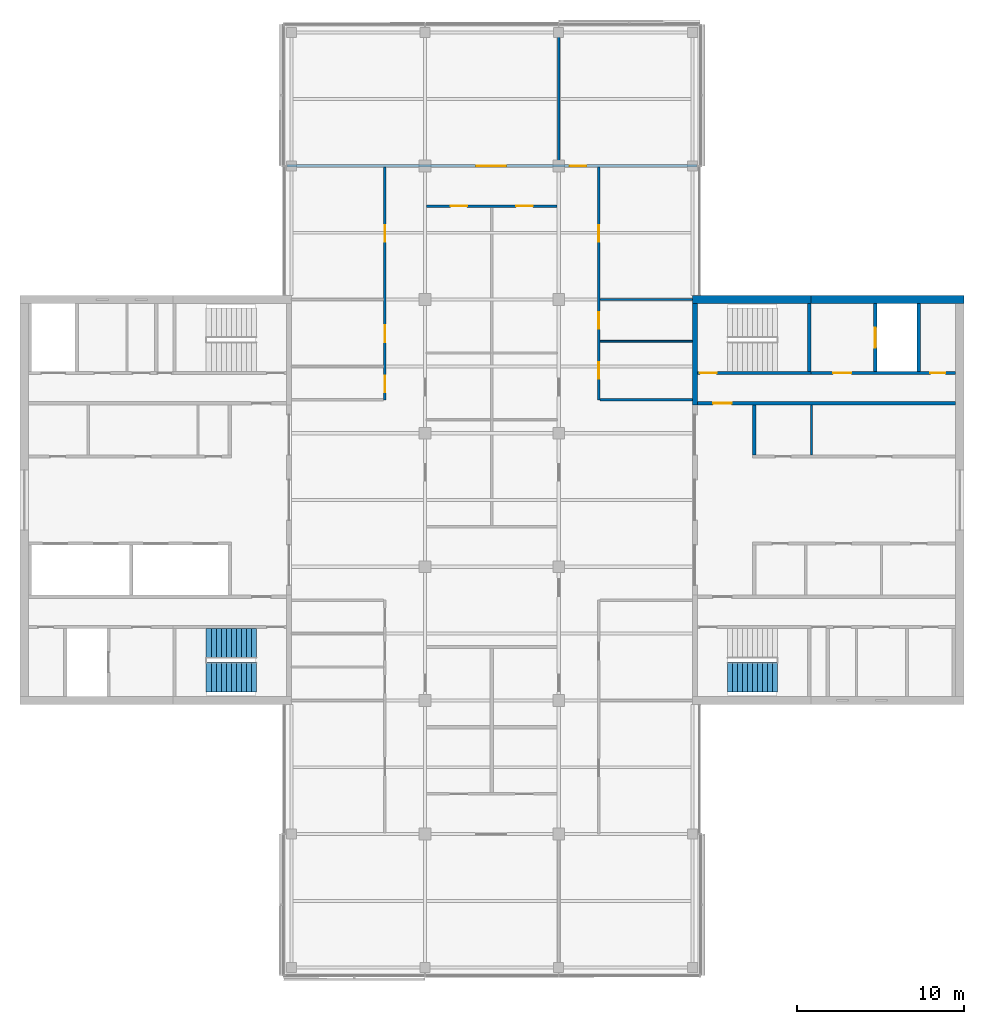
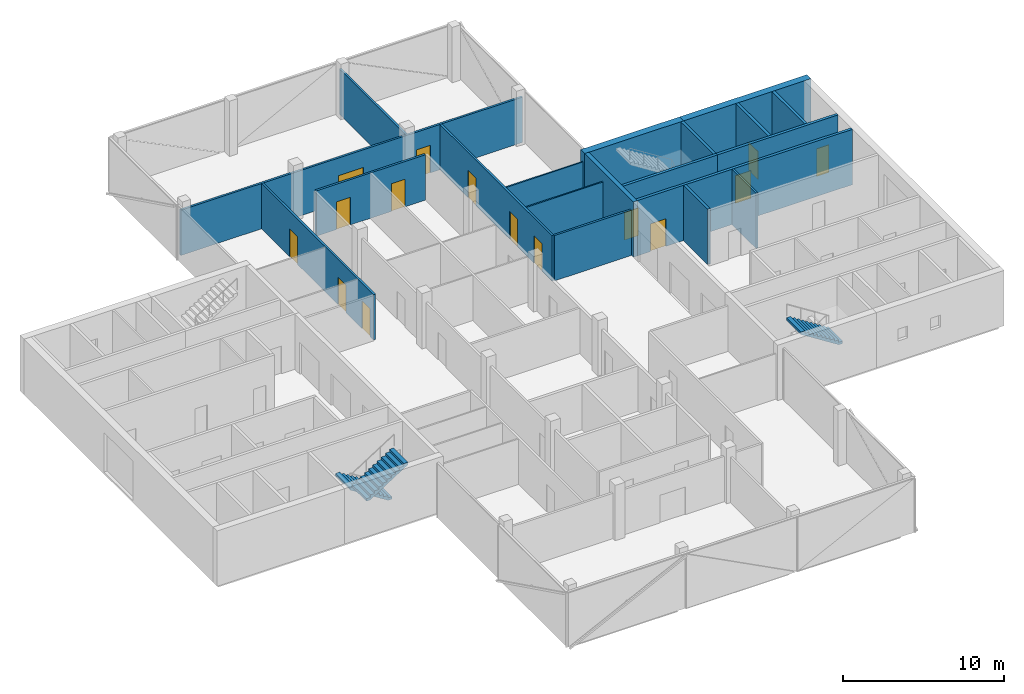
# One storey, part 12 of 16: 19 walls, 15 doors, 3 stair flights, 15 openings, 2 elements without a shape of their own.
"""IFC4 building model written with IfcOpenShell, lengths in metres."""

import ifcopenshell
import ifcopenshell.guid

model = None  # the IFC model being written
_history = None  # IfcOwnerHistory: only IFC2X3 demands one
_inside = {}  # id of a spatial element -> (the spatial element, [elements in it])
_under = {}  # id of a project, library or spatial element -> (it, [spatial elements below it])
_declared = {}  # id of a project -> (the project, [libraries it declares])
_typed = {}  # id of a type object -> (the type object, [elements of that type])
_made_of = {}  # id of a material, layer set ... -> (it, [elements and type objects made of it])


def new_model(schema):
    """Start an empty IFC model of exactly this schema.

    Asked for "IFC4X3", IfcOpenShell would pick the latest addendum, in which some entities
    have other attributes; the version numbers below select the first issue.
    IFC2X3 requires an IfcOwnerHistory on every rooted entity: one is made here for all.
    """
    global model, _history
    if schema == "IFC4X3":
        model = ifcopenshell.file(schema_version=(4, 3, 0, 0))
    else:
        model = ifcopenshell.file(schema=schema)
    _inside.clear()
    _under.clear()
    _declared.clear()
    _typed.clear()
    _made_of.clear()
    _history = None
    if model.schema == "IFC2X3":
        org = make("IfcOrganization", Name="unknown")
        user = make(
            "IfcPersonAndOrganization",
            ThePerson=make("IfcPerson", FamilyName="unknown"),
            TheOrganization=org,
        )
        app = make(
            "IfcApplication",
            ApplicationDeveloper=org,
            Version="unknown",
            ApplicationFullName="unknown",
            ApplicationIdentifier="unknown",
        )
        _history = make(
            "IfcOwnerHistory",
            OwningUser=user,
            OwningApplication=app,
            ChangeAction="ADDED",
            CreationDate=0,
        )
    return model


def make(cls, **values):
    """One entity of the class cls with the attributes given. An attribute that is None is left unset."""
    return model.create_entity(
        cls, **{name: value for name, value in values.items() if value is not None}
    )


def rooted(cls, **values):
    """An entity with a GlobalId (a new one), such as an element, a storey or a relation."""
    return make(cls, GlobalId=ifcopenshell.guid.new(), OwnerHistory=_history, **values)


def si_unit(unit_type, name, prefix=None):
    """IfcSIUnit, for example si_unit("LENGTHUNIT", "METRE", prefix="MILLI")."""
    return make("IfcSIUnit", UnitType=unit_type, Prefix=prefix, Name=name)


def assignment(units):
    """IfcUnitAssignment: the units of a project."""
    return None if units is None else make("IfcUnitAssignment", Units=units)


def point(xyz):
    """IfcCartesianPoint."""
    return None if xyz is None else make("IfcCartesianPoint", Coordinates=xyz)


def direction(xyz):
    """IfcDirection."""
    return None if xyz is None else make("IfcDirection", DirectionRatios=xyz)


def frame(location, z_axis=None, x_axis=None):
    """IfcAxis2Placement3D, a coordinate frame: its origin and axes. An axis left out is left unset."""
    return make(
        "IfcAxis2Placement3D",
        Location=point(location),
        Axis=direction(z_axis),
        RefDirection=direction(x_axis),
    )


def frame_2d(location, x_axis=None):
    """IfcAxis2Placement2D, a coordinate frame in the plane: its origin and x axis."""
    return make(
        "IfcAxis2Placement2D", Location=point(location), RefDirection=direction(x_axis)
    )


def origin():
    """The frame at (0, 0, 0) with its axes left unset."""
    return frame((0.0, 0.0, 0.0))


def place(relative_to, where):
    """IfcLocalPlacement: puts the frame where relative to a parent placement (None: the world)."""
    return make(
        "IfcLocalPlacement", PlacementRelTo=relative_to, RelativePlacement=where
    )


def context(
    kind, dimensions, precision=None, world=None, true_north=None, identifier=None
):
    """IfcGeometricRepresentationContext, for example the 3D "Model" context."""
    return make(
        "IfcGeometricRepresentationContext",
        ContextIdentifier=identifier,
        ContextType=kind,
        CoordinateSpaceDimension=dimensions,
        Precision=precision,
        WorldCoordinateSystem=world,
        TrueNorth=true_north,
    )


def subcontext(parent, identifier, kind, view, scale=None):
    """IfcGeometricRepresentationSubContext, for example "Body" below "Model"."""
    return make(
        "IfcGeometricRepresentationSubContext",
        ContextIdentifier=identifier,
        ContextType=kind,
        ParentContext=parent,
        TargetScale=scale,
        TargetView=view,
    )


def project(units=None, contexts=None):
    """IfcProject with its units and contexts."""
    return rooted(
        "IfcProject",
        Name="project",
        RepresentationContexts=contexts,
        UnitsInContext=assignment(units),
    )


def spatial(cls, under=None, at=None, **own):
    """A site, building, storey or space (cls), placed at a placement, below another one or the project."""
    s = rooted(cls, ObjectPlacement=at, **own)
    if under is not None:
        _under.setdefault(under.id(), (under, []))[1].append(s)
    return s


def polyline(points):
    """IfcPolyline through the points."""
    return make("IfcPolyline", Points=[point(p) for p in points])


def profile(cls, at=None, kind="AREA", **sizes):
    """A parametric profile (cls). Its sizes go by their IFC names, for example OverallWidth=200.0."""
    return make(cls, ProfileType=kind, Position=at, **sizes)


def rectangle(**sizes):
    """IfcRectangleProfileDef."""
    return profile("IfcRectangleProfileDef", **sizes)


def outline(outer, holes=None, kind="AREA"):
    """IfcArbitraryClosedProfileDef: a profile drawn as a closed curve; with holes, ...WithVoids."""
    if holes is None:
        return make("IfcArbitraryClosedProfileDef", ProfileType=kind, OuterCurve=outer)
    return make(
        "IfcArbitraryProfileDefWithVoids",
        ProfileType=kind,
        OuterCurve=outer,
        InnerCurves=holes,
    )


def extrude(swept, where, along, depth):
    """IfcExtrudedAreaSolid: the profile swept, set in the frame where, extruded along a direction by depth."""
    return make(
        "IfcExtrudedAreaSolid",
        SweptArea=swept,
        Position=where,
        ExtrudedDirection=direction(along),
        Depth=depth,
    )


def shape(context_of_items, identifier, shape_type, items):
    """IfcShapeRepresentation: the items that make up one representation, for example the "Body"."""
    return make(
        "IfcShapeRepresentation",
        ContextOfItems=context_of_items,
        RepresentationIdentifier=identifier,
        RepresentationType=shape_type,
        Items=items,
    )


def material(Name=None, Category=None):
    """IfcMaterial."""
    return make("IfcMaterial", Name=Name, Category=Category)


def layer(
    of_material, thickness, ventilated=None, Name=None, Category=None, Priority=None
):
    """IfcMaterialLayer: one layer of a wall or slab, of a material (None: an air gap)."""
    return make(
        "IfcMaterialLayer",
        Material=of_material,
        LayerThickness=thickness,
        IsVentilated=ventilated,
        Name=Name,
        Category=Category,
        Priority=Priority,
    )


def layer_set(layers, Name=None):
    """IfcMaterialLayerSet."""
    return make("IfcMaterialLayerSet", MaterialLayers=layers, LayerSetName=Name)


def constituent(of_material, Name=None, Category=None, fraction=None):
    """IfcMaterialConstituent: one of the materials an element consists of."""
    return make(
        "IfcMaterialConstituent",
        Name=Name,
        Material=of_material,
        Fraction=fraction,
        Category=Category,
    )


def constituent_set(constituents=None, Name=None):
    """IfcMaterialConstituentSet."""
    return make(
        "IfcMaterialConstituentSet", Name=Name, MaterialConstituents=constituents
    )


def made_of(thing, what):
    """Note that an element or type object is made of a material, layer set ...; save() writes the relation."""
    if what is not None:
        _made_of.setdefault(what.id(), (what, []))[1].append(thing)
    return thing


def type_object(cls, material=None, **own):
    """A type object (cls), such as IfcWallType, which elements share."""
    return made_of(rooted(cls, **own), material)


def element(
    cls,
    number,
    at=None,
    inside=None,
    cuts=None,
    type_object=None,
    material=None,
    context=None,
    identifier="Body",
    shape_type=None,
    held_by="IfcProductDefinitionShape",
    body=None,
    shapes=None,
    **own,
):
    """One element of the class cls, such as IfcWall. Its Tag is "e" and its number.

    at: its placement. inside: the storey or other place that contains it. cuts: it is an
    opening in that element (IfcRelVoidsElement). A single representation is given by context,
    identifier, shape_type and body (its items); several are given by shapes. held_by: the class
    of the entity that holds the representations. save() writes the other relations.
    """
    e = rooted(cls, Tag="e%d" % number, ObjectPlacement=at, **own)
    if body is not None:
        shapes = [shape(context, identifier, shape_type, body)]
    if shapes is not None:
        e.Representation = make(held_by, Representations=shapes)
    if inside is not None:
        _inside.setdefault(inside.id(), (inside, []))[1].append(e)
    if cuts is not None:
        rooted(
            "IfcRelVoidsElement", RelatingBuildingElement=cuts, RelatedOpeningElement=e
        )
    if type_object is not None:
        _typed.setdefault(type_object.id(), (type_object, []))[1].append(e)
    return made_of(e, material)


def fill(opening, filler):
    """IfcRelFillsElement: the door or window that sits in an opening."""
    return rooted(
        "IfcRelFillsElement",
        RelatingOpeningElement=opening,
        RelatedBuildingElement=filler,
    )


def aggregate(whole, parts):
    """IfcRelAggregates: a whole, such as a stair, and the parts it consists of."""
    return rooted("IfcRelAggregates", RelatingObject=whole, RelatedObjects=parts)


def save(model, path):
    """Write the relations noted so far, then the file.

    IfcRelAggregates (storeys below a building ...), IfcRelContainedInSpatialStructure (elements
    in a storey), IfcRelDefinesByType, IfcRelAssociatesMaterial and IfcRelDeclares: one each for
    every whole, place, type object, material and project.
    """
    for whole, parts in _under.values():
        aggregate(whole, parts)
    for where, things in _inside.values():
        rooted(
            "IfcRelContainedInSpatialStructure",
            RelatedElements=things,
            RelatingStructure=where,
        )
    for kind, things in _typed.values():
        rooted("IfcRelDefinesByType", RelatedObjects=things, RelatingType=kind)
    for what, things in _made_of.values():
        rooted("IfcRelAssociatesMaterial", RelatedObjects=things, RelatingMaterial=what)
    for by, libraries in _declared.values():
        rooted("IfcRelDeclares", RelatingContext=by, RelatedDefinitions=libraries)
    model.write(path)


model = new_model("IFC4")

# Units and contexts
model_context = context("Model", 3, precision=1e-05, world=origin(), true_north=direction((0.0, 1.0)))
body_context = subcontext(model_context, "Body", "Model", "MODEL_VIEW")
ifc_project = project(units=[si_unit("LENGTHUNIT", "METRE"), si_unit("AREAUNIT", "SQUARE_METRE"), si_unit("VOLUMEUNIT", "CUBIC_METRE"), si_unit("PLANEANGLEUNIT", "RADIAN"), si_unit("MASSUNIT", "GRAM", prefix="KILO")], contexts=[model_context])

# Site, building, storey
site_placement = place(None, origin())
site = spatial("IfcSite", under=ifc_project, at=site_placement, CompositionType="ELEMENT")
building_placement = place(site_placement, origin())
building = spatial("IfcBuilding", under=site, at=building_placement, Name="Crosswind Convention Tower", CompositionType="ELEMENT")
storey_placement = place(building_placement, frame((0.0, 0.0, 270.300048828125)))
storey = spatial("IfcBuildingStorey", under=building, at=storey_placement, Name="L58", CompositionType="ELEMENT", Elevation=270.300048828125)

# Walls
ifc_material_1 = material(Name="Concrete C50/60", Category="concrete")
ifc_layer_1 = layer(ifc_material_1, 0.300048828125)
ifc_layer_set_1 = layer_set([ifc_layer_1], Name="Concrete C50/60")
wall_type_1 = type_object("IfcWallType", Name="Concrete inner core wall 300", PredefinedType="SHEAR", material=ifc_layer_set_1)
wall_1_placement = place(storey_placement, frame((137.14990234375, 105.699951171875, 0.0), z_axis=(0.0, 0.0, 1.0), x_axis=(0.0, 1.0, 0.0)))
element("IfcWall", 1, at=wall_1_placement, inside=storey, type_object=wall_type_1, Name="Wall EP E L58", PredefinedType="SHEAR", context=body_context, shape_type="SweptSolid", body=[
    extrude(rectangle(XDim=6.050048828125, YDim=0.300048828125, at=frame_2d((3.02490234375, 0.0))), origin(), (0.0, 0.0, 1.0), 4.199951171875),
])
ifc_layer_2 = layer(ifc_material_1, 0.199951171875)
ifc_layer_set_2 = layer_set([ifc_layer_2], Name="Concrete C50/60")
wall_type_2 = type_object("IfcWallType", Name="Concrete shaft and stair wall 200", PredefinedType="SHEAR", material=ifc_layer_set_2)
wall_2_placement = place(storey_placement, frame((140.699951171875, 102.699951171875, 0.0), z_axis=(0.0, 0.0, 1.0), x_axis=(0.0, 1.0, 0.0)))
element("IfcWall", 2, at=wall_2_placement, inside=storey, type_object=wall_type_2, Name="Wall RPEND E L58", PredefinedType="SHEAR", context=body_context, shape_type="SweptSolid", body=[
    extrude(rectangle(XDim=3.0, YDim=0.199951171875, at=frame_2d((1.5, 0.0))), origin(), (0.0, 0.0, 1.0), 4.199951171875),
])

# Wall, opening, door
wall_3_placement = place(storey_placement, frame((137.300048828125, 105.800048828125, 0.0), z_axis=(0.0, 0.0, 1.0), x_axis=(1.0, 0.0, 0.0)))
wall_3 = element("IfcWall", 3, at=wall_3_placement, inside=storey, type_object=wall_type_2, Name="Wall HP E L58", PredefinedType="SHEAR", context=body_context, shape_type="SweptSolid", body=[
    extrude(rectangle(XDim=15.449951171875, YDim=0.199951171875, at=frame_2d((7.72509765625, 0.0))), origin(), (0.0, 0.0, 1.0), 4.199951171875),
])
opening_1_placement = place(wall_3_placement, frame((0.949951171875, 0.0, 0.0)))
opening_1 = element("IfcOpeningElement", 4, at=opening_1_placement, cuts=wall_3, Name="Opening D104", PredefinedType="OPENING", context=body_context, shape_type="SweptSolid", body=[
    extrude(rectangle(XDim=1.10009765625, YDim=2.10009765625, at=frame_2d((0.550048828125, 1.050048828125))), frame((0.0, 0.10986328125, 0.0), z_axis=(0.0, -1.0, 0.0), x_axis=(1.0, 0.0, 0.0)), (0.0, 0.0, 1.0), 0.219970703125),
])
ifc_material_2 = material(Name="Steel fire door", Category="steel")
door_type_1 = type_object("IfcDoorType", Name="Fire-rated single door 1100x2100", OperationType="NOTDEFINED", PredefinedType="DOOR", material=ifc_material_2)
door_1_placement = place(opening_1_placement, origin())
door_1 = element("IfcDoor", 5, at=door_1_placement, inside=storey, type_object=door_type_1, Name="Corridor door L58", ObjectType="D104", OperationType="SINGLE_SWING_LEFT", OverallHeight=2.10009765625, OverallWidth=1.10009765625, PredefinedType="DOOR", context=body_context, shape_type="SweptSolid", body=[
    extrude(rectangle(XDim=1.10009765625, YDim=2.10009765625, at=frame_2d((0.550048828125, 1.050048828125))), frame((0.0, 0.02490234375, 0.0), z_axis=(0.0, -1.0, 0.0), x_axis=(1.0, 0.0, 0.0)), (0.0, 0.0, 1.0), 0.050048828125),
])
fill(opening_1, door_1)

# Wall
wall_4_placement = place(storey_placement, frame((144.0, 107.699951171875, 0.0), z_axis=(0.0, 0.0, 1.0), x_axis=(0.0, 1.0, 0.0)))
element("IfcWall", 6, at=wall_4_placement, inside=storey, type_object=wall_type_2, Name="Wall PSE E L58", PredefinedType="SHEAR", context=body_context, shape_type="SweptSolid", body=[
    extrude(rectangle(XDim=4.050048828125, YDim=0.199951171875, at=frame_2d((2.02490234375, 0.0))), origin(), (0.0, 0.0, 1.0), 4.199951171875),
])

# Wall, opening, door
wall_5_placement = place(storey_placement, frame((147.949951171875, 107.699951171875, 0.0), z_axis=(0.0, 0.0, 1.0), x_axis=(0.0, 1.0, 0.0)))
wall_5 = element("IfcWall", 7, at=wall_5_placement, inside=storey, type_object=wall_type_2, Name="Wall PFLW E L58", PredefinedType="SHEAR", context=body_context, shape_type="SweptSolid", body=[
    extrude(rectangle(XDim=4.050048828125, YDim=0.199951171875, at=frame_2d((2.02490234375, 0.0))), origin(), (0.0, 0.0, 1.0), 4.199951171875),
])
opening_2_placement = place(wall_5_placement, frame((1.425048828125, 0.0, 0.0)))
opening_2 = element("IfcOpeningElement", 8, at=opening_2_placement, cuts=wall_5, Name="Opening LD1", PredefinedType="OPENING", context=body_context, shape_type="SweptSolid", body=[
    extrude(rectangle(XDim=1.199951171875, YDim=2.10009765625, at=frame_2d((0.60009765625, 1.050048828125))), frame((0.0, 0.10986328125, 0.0), z_axis=(0.0, -1.0, 0.0), x_axis=(1.0, 0.0, 0.0)), (0.0, 0.0, 1.0), 0.219970703125),
])
ifc_material_3 = material(Name="Stainless steel", Category="steel")
door_type_2 = type_object("IfcDoorType", Name="Lift landing door 1200x2100", OperationType="DOUBLE_DOOR_SLIDING", PredefinedType="DOOR", material=ifc_material_3)
door_2_placement = place(opening_2_placement, origin())
door_2 = element("IfcDoor", 9, at=door_2_placement, inside=storey, type_object=door_type_2, Name="Landing door FF1 L58", ObjectType="LD1", OperationType="DOUBLE_DOOR_SLIDING", OverallHeight=2.10009765625, OverallWidth=1.199951171875, PredefinedType="DOOR", context=body_context, shape_type="SweptSolid", body=[
    extrude(rectangle(XDim=1.199951171875, YDim=2.10009765625, at=frame_2d((0.60009765625, 1.050048828125))), frame((0.0, 0.02490234375, 0.0), z_axis=(0.0, -1.0, 0.0), x_axis=(1.0, 0.0, 0.0)), (0.0, 0.0, 1.0), 0.050048828125),
])
fill(opening_2, door_2)

# Wall
wall_6_placement = place(storey_placement, frame((150.550048828125, 107.699951171875, 0.0), z_axis=(0.0, 0.0, 1.0), x_axis=(0.0, 1.0, 0.0)))
element("IfcWall", 10, at=wall_6_placement, inside=storey, type_object=wall_type_2, Name="Wall PFSE E L58", PredefinedType="SHEAR", context=body_context, shape_type="SweptSolid", body=[
    extrude(rectangle(XDim=4.050048828125, YDim=0.199951171875, at=frame_2d((2.02490234375, 0.0))), origin(), (0.0, 0.0, 1.0), 4.199951171875),
])

# Wall, opening, door
wall_7_placement = place(storey_placement, frame((137.300048828125, 107.60009765625, 0.0), z_axis=(0.0, 0.0, 1.0), x_axis=(1.0, 0.0, 0.0)))
wall_7 = element("IfcWall", 11, at=wall_7_placement, inside=storey, type_object=wall_type_2, Name="Wall PCW E L58", PredefinedType="SHEAR", context=body_context, shape_type="SweptSolid", body=[
    extrude(rectangle(XDim=6.800048828125, YDim=0.199951171875, at=frame_2d((3.39990234375, 0.0))), origin(), (0.0, 0.0, 1.0), 4.199951171875),
])
opening_3_placement = place(wall_7_placement, frame((0.14990234375, 0.0, 0.0)))
opening_3 = element("IfcOpeningElement", 12, at=opening_3_placement, cuts=wall_7, Name="Opening D103", PredefinedType="OPENING", context=body_context, shape_type="SweptSolid", body=[
    extrude(rectangle(XDim=1.0, YDim=2.10009765625, at=frame_2d((0.5, 1.050048828125))), frame((0.0, 0.10986328125, 0.0), z_axis=(0.0, -1.0, 0.0), x_axis=(1.0, 0.0, 0.0)), (0.0, 0.0, 1.0), 0.219970703125),
])
door_type_3 = type_object("IfcDoorType", Name="Fire-rated single door 1000x2100", OperationType="NOTDEFINED", PredefinedType="DOOR", material=ifc_material_2)
door_3_placement = place(opening_3_placement, origin())
door_3 = element("IfcDoor", 13, at=door_3_placement, inside=storey, type_object=door_type_3, Name="Stair ST1 door L58", ObjectType="D103", OperationType="SINGLE_SWING_LEFT", OverallHeight=2.10009765625, OverallWidth=1.0, PredefinedType="DOOR", context=body_context, shape_type="SweptSolid", body=[
    extrude(rectangle(XDim=1.0, YDim=2.10009765625, at=frame_2d((0.5, 1.050048828125))), frame((0.0, 0.02490234375, 0.0), z_axis=(0.0, -1.0, 0.0), x_axis=(1.0, 0.0, 0.0)), (0.0, 0.0, 1.0), 0.050048828125),
])
fill(opening_3, door_3)

# Wall, openings, doors
wall_8_placement = place(storey_placement, frame((144.10009765625, 107.60009765625, 0.0), z_axis=(0.0, 0.0, 1.0), x_axis=(1.0, 0.0, 0.0)))
wall_8 = element("IfcWall", 14, at=wall_8_placement, inside=storey, type_object=wall_type_2, Name="Wall PCX E L58", PredefinedType="SHEAR", context=body_context, shape_type="SweptSolid", body=[
    extrude(rectangle(XDim=8.64990234375, YDim=0.199951171875, at=frame_2d((4.324951171875, 0.0))), origin(), (0.0, 0.0, 1.0), 4.199951171875),
])
opening_4_placement = place(wall_8_placement, frame((1.324951171875, 0.0, 0.0)))
opening_4 = element("IfcOpeningElement", 15, at=opening_4_placement, cuts=wall_8, Name="Opening D104", PredefinedType="OPENING", context=body_context, shape_type="SweptSolid", body=[
    extrude(rectangle(XDim=1.10009765625, YDim=2.10009765625, at=frame_2d((0.550048828125, 1.050048828125))), frame((0.0, 0.10986328125, 0.0), z_axis=(0.0, -1.0, 0.0), x_axis=(1.0, 0.0, 0.0)), (0.0, 0.0, 1.0), 0.219970703125),
])
opening_5_placement = place(wall_8_placement, frame((7.14990234375, 0.0, 0.0)))
opening_5 = element("IfcOpeningElement", 16, at=opening_5_placement, cuts=wall_8, Name="Opening D106", PredefinedType="OPENING", context=body_context, shape_type="SweptSolid", body=[
    extrude(rectangle(XDim=0.89990234375, YDim=2.10009765625, at=frame_2d((0.449951171875, 1.050048828125))), frame((0.0, 0.10986328125, 0.0), z_axis=(0.0, -1.0, 0.0), x_axis=(1.0, 0.0, 0.0)), (0.0, 0.0, 1.0), 0.219970703125),
])
door_4_placement = place(opening_4_placement, origin())
door_4 = element("IfcDoor", 17, at=door_4_placement, inside=storey, type_object=door_type_1, Name="Fire-fighting lobby FF1 door L58", ObjectType="D104", OperationType="SINGLE_SWING_RIGHT", OverallHeight=2.10009765625, OverallWidth=1.10009765625, PredefinedType="DOOR", context=body_context, shape_type="SweptSolid", body=[
    extrude(rectangle(XDim=1.10009765625, YDim=2.10009765625, at=frame_2d((0.550048828125, 1.050048828125))), frame((0.0, 0.02490234375, 0.0), z_axis=(0.0, -1.0, 0.0), x_axis=(1.0, 0.0, 0.0)), (0.0, 0.0, 1.0), 0.050048828125),
])
fill(opening_4, door_4)
ifc_material_4 = material(Name="Timber door", Category="wood")
door_type_4 = type_object("IfcDoorType", Name="Single leaf door 900x2100", OperationType="NOTDEFINED", PredefinedType="DOOR", material=ifc_material_4)
door_5_placement = place(opening_5_placement, origin())
door_5 = element("IfcDoor", 18, at=door_5_placement, inside=storey, type_object=door_type_4, Name="Door to comms room L58", ObjectType="D106", OperationType="SINGLE_SWING_RIGHT", OverallHeight=2.10009765625, OverallWidth=0.89990234375, PredefinedType="DOOR", context=body_context, shape_type="SweptSolid", body=[
    extrude(rectangle(XDim=0.89990234375, YDim=2.10009765625, at=frame_2d((0.449951171875, 1.050048828125))), frame((0.0, 0.02490234375, 0.0), z_axis=(0.0, -1.0, 0.0), x_axis=(1.0, 0.0, 0.0)), (0.0, 0.0, 1.0), 0.050048828125),
])
fill(opening_5, door_5)

# Walls
ifc_material_5 = material(Name="Gypsum plasterboard partition", Category="gypsum")
ifc_layer_3 = layer(ifc_material_5, 0.125)
ifc_layer_set_3 = layer_set([ifc_layer_3], Name="Drywall partition wall 125")
wall_type_3 = type_object("IfcWallType", Name="Drywall partition wall 125", PredefinedType="PARTITIONING", material=ifc_layer_set_3)
wall_9_placement = place(storey_placement, frame((144.14599609375, 102.699951171875, 0.0), z_axis=(0.0, 0.0, 1.0), x_axis=(0.0, 1.0, 0.0)))
element("IfcWall", 19, at=wall_9_placement, inside=storey, type_object=wall_type_3, Name="Wall RPP1 E L58", PredefinedType="PARTITIONING", context=body_context, shape_type="SweptSolid", body=[
    extrude(rectangle(XDim=3.0, YDim=0.125, at=frame_2d((1.5, 0.0))), origin(), (0.0, 0.0, 1.0), 4.199951171875),
])
ifc_material_6 = material(Name="Plasterboard partition", Category="gypsum")
ifc_layer_4 = layer(ifc_material_6, 0.10009765625)
ifc_layer_set_4 = layer_set([ifc_layer_4], Name="PARTITION 100 METAL STUD")
wall_type_4 = type_object("IfcWallType", Name="PARTITION 100 METAL STUD", PredefinedType="PARTITIONING", material=ifc_layer_set_4)
for number, where, z_axis, x_axis, name in (
    (20, (131.47509765625, 109.5, 0.0), (0.0, 0.0, 1.0), (1.0, 0.0, 0.0), "Partition wall WT40"),
    (21, (131.47509765625, 112.0, 0.0), (0.0, 0.0, 1.0), (1.0, 0.0, 0.0), "Partition wall WT40"),
):
    element("IfcWall", number, at=place(storey_placement, frame(where, z_axis=z_axis, x_axis=x_axis)), inside=storey, type_object=wall_type_4, Name=name, PredefinedType="PARTITIONING", context=body_context, shape_type="SweptSolid", body=[
        extrude(rectangle(XDim=5.52490234375, YDim=0.10009765625, at=frame_2d((2.762451171875, 0.0))), origin(), (0.0, 0.0, 1.0), 3.44287109375),
    ])

# Wall, openings, doors
ifc_material_7 = material(Name="Fire-board partition with mineral wool", Category="gypsum")
ifc_layer_5 = layer(ifc_material_7, 0.14990234375)
ifc_layer_set_5 = layer_set([ifc_layer_5], Name="TENANCY WALL 150 TWO-HOUR BOARD")
wall_type_5 = type_object("IfcWallType", Name="TENANCY WALL 150 TWO-HOUR BOARD", PredefinedType="PARTITIONING", material=ifc_layer_set_5)
wall_10_placement = place(storey_placement, frame((118.60009765625, 106.0, 0.0), z_axis=(0.0, 0.0, 1.0), x_axis=(0.0, 1.0, 0.0)))
wall_10 = element("IfcWall", 22, at=wall_10_placement, inside=storey, type_object=wall_type_5, Name="Tenancy wall WT41", PredefinedType="PARTITIONING", context=body_context, shape_type="SweptSolid", body=[
    extrude(rectangle(XDim=13.925048828125, YDim=0.14990234375, at=frame_2d((6.96240234375, 0.0))), origin(), (0.0, 0.0, 1.0), 3.44287109375),
])
opening_6_placement = place(wall_10_placement, frame((0.449951171875, 0.0, 0.0)))
opening_6 = element("IfcOpeningElement", 23, at=opening_6_placement, cuts=wall_10, Name="Opening L58-55", PredefinedType="OPENING", context=body_context, shape_type="SweptSolid", body=[
    extrude(rectangle(XDim=1.0, YDim=2.10009765625, at=frame_2d((0.5, 1.050048828125))), frame((0.0, 0.0849609375, 0.0), z_axis=(0.0, -1.0, 0.0), x_axis=(1.0, 0.0, 0.0)), (0.0, 0.0, 1.0), 0.169921875),
])
opening_7_placement = place(wall_10_placement, frame((3.449951171875, 0.0, 0.0)))
opening_7 = element("IfcOpeningElement", 24, at=opening_7_placement, cuts=wall_10, Name="Opening L58-56", PredefinedType="OPENING", context=body_context, shape_type="SweptSolid", body=[
    extrude(rectangle(XDim=1.0, YDim=2.10009765625, at=frame_2d((0.5, 1.050048828125))), frame((0.0, 0.0849609375, 0.0), z_axis=(0.0, -1.0, 0.0), x_axis=(1.0, 0.0, 0.0)), (0.0, 0.0, 1.0), 0.169921875),
])
opening_8_placement = place(wall_10_placement, frame((9.449951171875, 0.0, 0.0)))
opening_8 = element("IfcOpeningElement", 25, at=opening_8_placement, cuts=wall_10, Name="Opening L58-57", PredefinedType="OPENING", context=body_context, shape_type="SweptSolid", body=[
    extrude(rectangle(XDim=1.0, YDim=2.10009765625, at=frame_2d((0.5, 1.050048828125))), frame((0.0, 0.0849609375, 0.0), z_axis=(0.0, -1.0, 0.0), x_axis=(1.0, 0.0, 0.0)), (0.0, 0.0, 1.0), 0.169921875),
])
ifc_material_8 = material(Name="Timber fire door", Category="wood")
door_type_5 = type_object("IfcDoorType", Name="TENANCY ENTRANCE DOOR 1000X2100 FD30S", OperationType="NOTDEFINED", PredefinedType="DOOR", material=ifc_material_8)
door_6_placement = place(opening_6_placement, origin())
door_6 = element("IfcDoor", 26, at=door_6_placement, inside=storey, type_object=door_type_5, Name="Door L58-55", ObjectType="D41", OperationType="SINGLE_SWING_LEFT", OverallHeight=2.10009765625, OverallWidth=1.0, PredefinedType="DOOR", context=body_context, shape_type="SweptSolid", body=[
    extrude(rectangle(XDim=1.0, YDim=2.10009765625, at=frame_2d((0.5, 1.050048828125))), frame((0.0, 0.02490234375, 0.0), z_axis=(0.0, -1.0, 0.0), x_axis=(1.0, 0.0, 0.0)), (0.0, 0.0, 1.0), 0.050048828125),
])
fill(opening_6, door_6)
door_7_placement = place(opening_7_placement, origin())
door_7 = element("IfcDoor", 27, at=door_7_placement, inside=storey, type_object=door_type_5, Name="Door L58-56", ObjectType="D41", OperationType="SINGLE_SWING_LEFT", OverallHeight=2.10009765625, OverallWidth=1.0, PredefinedType="DOOR", context=body_context, shape_type="SweptSolid", body=[
    extrude(rectangle(XDim=1.0, YDim=2.10009765625, at=frame_2d((0.5, 1.050048828125))), frame((0.0, 0.02490234375, 0.0), z_axis=(0.0, -1.0, 0.0), x_axis=(1.0, 0.0, 0.0)), (0.0, 0.0, 1.0), 0.050048828125),
])
fill(opening_7, door_7)
door_8_placement = place(opening_8_placement, origin())
door_8 = element("IfcDoor", 28, at=door_8_placement, inside=storey, type_object=door_type_5, Name="Door L58-57", ObjectType="D41", OperationType="SINGLE_SWING_LEFT", OverallHeight=2.10009765625, OverallWidth=1.0, PredefinedType="DOOR", context=body_context, shape_type="SweptSolid", body=[
    extrude(rectangle(XDim=1.0, YDim=2.10009765625, at=frame_2d((0.5, 1.050048828125))), frame((0.0, 0.02490234375, 0.0), z_axis=(0.0, -1.0, 0.0), x_axis=(1.0, 0.0, 0.0)), (0.0, 0.0, 1.0), 0.050048828125),
])
fill(opening_8, door_8)

# Wall
wall_11_placement = place(storey_placement, frame((129.0, 120.074951171875, 0.0), z_axis=(0.0, 0.0, 1.0), x_axis=(0.0, 1.0, 0.0)))
element("IfcWall", 29, at=wall_11_placement, inside=storey, type_object=wall_type_5, Name="Tenancy wall WT41", PredefinedType="PARTITIONING", context=body_context, shape_type="SweptSolid", body=[
    extrude(rectangle(XDim=8.195068359375, YDim=0.14990234375, at=frame_2d((4.09765625, 0.0))), origin(), (0.0, 0.0, 1.0), 3.44287109375),
])

# Wall, openings, doors
wall_12_placement = place(storey_placement, frame((131.39990234375, 106.0, 0.0), z_axis=(0.0, 0.0, 1.0), x_axis=(0.0, 1.0, 0.0)))
wall_12 = element("IfcWall", 30, at=wall_12_placement, inside=storey, type_object=wall_type_5, Name="Tenancy wall WT41", PredefinedType="PARTITIONING", context=body_context, shape_type="SweptSolid", body=[
    extrude(rectangle(XDim=13.925048828125, YDim=0.14990234375, at=frame_2d((6.96240234375, 0.0))), origin(), (0.0, 0.0, 1.0), 3.44287109375),
])
opening_9_placement = place(wall_12_placement, frame((1.25, 0.0, 0.0)))
opening_9 = element("IfcOpeningElement", 31, at=opening_9_placement, cuts=wall_12, Name="Opening L58-50", PredefinedType="OPENING", context=body_context, shape_type="SweptSolid", body=[
    extrude(rectangle(XDim=1.0, YDim=2.10009765625, at=frame_2d((0.5, 1.050048828125))), frame((0.0, 0.0849609375, 0.0), z_axis=(0.0, -1.0, 0.0), x_axis=(1.0, 0.0, 0.0)), (0.0, 0.0, 1.0), 0.169921875),
])
opening_10_placement = place(wall_12_placement, frame((4.25, 0.0, 0.0)))
opening_10 = element("IfcOpeningElement", 32, at=opening_10_placement, cuts=wall_12, Name="Opening L58-51", PredefinedType="OPENING", context=body_context, shape_type="SweptSolid", body=[
    extrude(rectangle(XDim=1.0, YDim=2.10009765625, at=frame_2d((0.5, 1.050048828125))), frame((0.0, 0.0849609375, 0.0), z_axis=(0.0, -1.0, 0.0), x_axis=(1.0, 0.0, 0.0)), (0.0, 0.0, 1.0), 0.169921875),
])
opening_11_placement = place(wall_12_placement, frame((9.449951171875, 0.0, 0.0)))
opening_11 = element("IfcOpeningElement", 33, at=opening_11_placement, cuts=wall_12, Name="Opening L58-52", PredefinedType="OPENING", context=body_context, shape_type="SweptSolid", body=[
    extrude(rectangle(XDim=1.0, YDim=2.10009765625, at=frame_2d((0.5, 1.050048828125))), frame((0.0, 0.0849609375, 0.0), z_axis=(0.0, -1.0, 0.0), x_axis=(1.0, 0.0, 0.0)), (0.0, 0.0, 1.0), 0.169921875),
])
door_9_placement = place(opening_9_placement, frame((1.0, 0.0, 0.0), z_axis=(0.0, 0.0, 1.0), x_axis=(-1.0, 0.0, 0.0)))
door_9 = element("IfcDoor", 34, at=door_9_placement, inside=storey, type_object=door_type_5, Name="Door L58-50", ObjectType="D41", OperationType="SINGLE_SWING_LEFT", OverallHeight=2.10009765625, OverallWidth=1.0, PredefinedType="DOOR", context=body_context, shape_type="SweptSolid", body=[
    extrude(rectangle(XDim=1.0, YDim=2.10009765625, at=frame_2d((0.5, 1.050048828125))), frame((0.0, 0.02490234375, 0.0), z_axis=(0.0, -1.0, 0.0), x_axis=(1.0, 0.0, 0.0)), (0.0, 0.0, 1.0), 0.050048828125),
])
fill(opening_9, door_9)
door_10_placement = place(opening_10_placement, frame((1.0, 0.0, 0.0), z_axis=(0.0, 0.0, 1.0), x_axis=(-1.0, 0.0, 0.0)))
door_10 = element("IfcDoor", 35, at=door_10_placement, inside=storey, type_object=door_type_5, Name="Door L58-51", ObjectType="D41", OperationType="SINGLE_SWING_LEFT", OverallHeight=2.10009765625, OverallWidth=1.0, PredefinedType="DOOR", context=body_context, shape_type="SweptSolid", body=[
    extrude(rectangle(XDim=1.0, YDim=2.10009765625, at=frame_2d((0.5, 1.050048828125))), frame((0.0, 0.02490234375, 0.0), z_axis=(0.0, -1.0, 0.0), x_axis=(1.0, 0.0, 0.0)), (0.0, 0.0, 1.0), 0.050048828125),
])
fill(opening_10, door_10)
door_11_placement = place(opening_11_placement, frame((1.0, 0.0, 0.0), z_axis=(0.0, 0.0, 1.0), x_axis=(-1.0, 0.0, 0.0)))
door_11 = element("IfcDoor", 36, at=door_11_placement, inside=storey, type_object=door_type_5, Name="Door L58-52", ObjectType="D41", OperationType="SINGLE_SWING_RIGHT", OverallHeight=2.10009765625, OverallWidth=1.0, PredefinedType="DOOR", context=body_context, shape_type="SweptSolid", body=[
    extrude(rectangle(XDim=1.0, YDim=2.10009765625, at=frame_2d((0.5, 1.050048828125))), frame((0.0, 0.02490234375, 0.0), z_axis=(0.0, -1.0, 0.0), x_axis=(1.0, 0.0, 0.0)), (0.0, 0.0, 1.0), 0.050048828125),
])
fill(opening_11, door_11)

# Wall
wall_13_placement = place(storey_placement, frame((131.47509765625, 106.0, 0.0), z_axis=(0.0, 0.0, 1.0), x_axis=(1.0, 0.0, 0.0)))
element("IfcWall", 37, at=wall_13_placement, inside=storey, type_object=wall_type_5, Name="Tenancy wall WT41", PredefinedType="PARTITIONING", context=body_context, shape_type="SweptSolid", body=[
    extrude(rectangle(XDim=5.52490234375, YDim=0.14990234375, at=frame_2d((2.762451171875, 0.0))), origin(), (0.0, 0.0, 1.0), 3.44287109375),
])

# Wall, openings, doors
wall_14_placement = place(storey_placement, frame((121.074951171875, 117.60009765625, 0.0), z_axis=(0.0, 0.0, 1.0), x_axis=(1.0, 0.0, 0.0)))
wall_14 = element("IfcWall", 38, at=wall_14_placement, inside=storey, type_object=wall_type_5, Name="Tenancy wall WT41", PredefinedType="PARTITIONING", context=body_context, shape_type="SweptSolid", body=[
    extrude(rectangle(XDim=7.824951171875, YDim=0.14990234375, at=frame_2d((3.91259765625, 0.0))), origin(), (0.0, 0.0, 1.0), 3.44287109375),
])
opening_12_placement = place(wall_14_placement, frame((1.449951171875, 0.0, 0.0)))
opening_12 = element("IfcOpeningElement", 39, at=opening_12_placement, cuts=wall_14, Name="Opening L58-74", PredefinedType="OPENING", context=body_context, shape_type="SweptSolid", body=[
    extrude(rectangle(XDim=1.0, YDim=2.10009765625, at=frame_2d((0.5, 1.050048828125))), frame((0.0, 0.0849609375, 0.0), z_axis=(0.0, -1.0, 0.0), x_axis=(1.0, 0.0, 0.0)), (0.0, 0.0, 1.0), 0.169921875),
])
opening_13_placement = place(wall_14_placement, frame((5.375, 0.0, 0.0)))
opening_13 = element("IfcOpeningElement", 40, at=opening_13_placement, cuts=wall_14, Name="Opening L58-75", PredefinedType="OPENING", context=body_context, shape_type="SweptSolid", body=[
    extrude(rectangle(XDim=1.0, YDim=2.10009765625, at=frame_2d((0.5, 1.050048828125))), frame((0.0, 0.0849609375, 0.0), z_axis=(0.0, -1.0, 0.0), x_axis=(1.0, 0.0, 0.0)), (0.0, 0.0, 1.0), 0.169921875),
])
door_12_placement = place(opening_12_placement, frame((1.0, 0.0, 0.0), z_axis=(0.0, 0.0, 1.0), x_axis=(-1.0, 0.0, 0.0)))
door_12 = element("IfcDoor", 41, at=door_12_placement, inside=storey, type_object=door_type_5, Name="Door L58-74", ObjectType="D41", OperationType="SINGLE_SWING_LEFT", OverallHeight=2.10009765625, OverallWidth=1.0, PredefinedType="DOOR", context=body_context, shape_type="SweptSolid", body=[
    extrude(rectangle(XDim=1.0, YDim=2.10009765625, at=frame_2d((0.5, 1.050048828125))), frame((0.0, 0.02490234375, 0.0), z_axis=(0.0, -1.0, 0.0), x_axis=(1.0, 0.0, 0.0)), (0.0, 0.0, 1.0), 0.050048828125),
])
fill(opening_12, door_12)
door_13_placement = place(opening_13_placement, frame((1.0, 0.0, 0.0), z_axis=(0.0, 0.0, 1.0), x_axis=(-1.0, 0.0, 0.0)))
door_13 = element("IfcDoor", 42, at=door_13_placement, inside=storey, type_object=door_type_5, Name="Door L58-75", ObjectType="D41", OperationType="SINGLE_SWING_RIGHT", OverallHeight=2.10009765625, OverallWidth=1.0, PredefinedType="DOOR", context=body_context, shape_type="SweptSolid", body=[
    extrude(rectangle(XDim=1.0, YDim=2.10009765625, at=frame_2d((0.5, 1.050048828125))), frame((0.0, 0.02490234375, 0.0), z_axis=(0.0, -1.0, 0.0), x_axis=(1.0, 0.0, 0.0)), (0.0, 0.0, 1.0), 0.050048828125),
])
fill(opening_13, door_13)

wall_15_placement = place(storey_placement, frame((112.72998046875, 120.0, 0.0), z_axis=(0.0, 0.0, 1.0), x_axis=(1.0, 0.0, 0.0)))
wall_15 = element("IfcWall", 43, at=wall_15_placement, inside=storey, type_object=wall_type_5, Name="Tenancy wall WT41", PredefinedType="PARTITIONING", context=body_context, shape_type="SweptSolid", body=[
    extrude(rectangle(XDim=24.5400390625, YDim=0.14990234375, at=frame_2d((12.27001953125, 0.0))), origin(), (0.0, 0.0, 1.0), 3.44287109375),
])
opening_14_placement = place(wall_15_placement, frame((11.320068359375, 0.0, 0.0)))
opening_14 = element("IfcOpeningElement", 44, at=opening_14_placement, cuts=wall_15, Name="Opening L58-62", PredefinedType="OPENING", context=body_context, shape_type="SweptSolid", body=[
    extrude(rectangle(XDim=1.800048828125, YDim=2.10009765625, at=frame_2d((0.89990234375, 1.050048828125))), frame((0.0, 0.0849609375, 0.0), z_axis=(0.0, -1.0, 0.0), x_axis=(1.0, 0.0, 0.0)), (0.0, 0.0, 1.0), 0.169921875),
])
opening_15_placement = place(wall_15_placement, frame((16.919921875, 0.0, 0.0)))
opening_15 = element("IfcOpeningElement", 45, at=opening_15_placement, cuts=wall_15, Name="Opening L58-63", PredefinedType="OPENING", context=body_context, shape_type="SweptSolid", body=[
    extrude(rectangle(XDim=1.0, YDim=2.10009765625, at=frame_2d((0.5, 1.050048828125))), frame((0.0, 0.0849609375, 0.0), z_axis=(0.0, -1.0, 0.0), x_axis=(1.0, 0.0, 0.0)), (0.0, 0.0, 1.0), 0.169921875),
])
door_14_placement = place(opening_15_placement, frame((1.0, 0.0, 0.0), z_axis=(0.0, 0.0, 1.0), x_axis=(-1.0, 0.0, 0.0)))
door_14 = element("IfcDoor", 46, at=door_14_placement, inside=storey, type_object=door_type_5, Name="Door L58-63", ObjectType="D41", OperationType="SINGLE_SWING_RIGHT", OverallHeight=2.10009765625, OverallWidth=1.0, PredefinedType="DOOR", context=body_context, shape_type="SweptSolid", body=[
    extrude(rectangle(XDim=1.0, YDim=2.10009765625, at=frame_2d((0.5, 1.050048828125))), frame((0.0, 0.02490234375, 0.0), z_axis=(0.0, -1.0, 0.0), x_axis=(1.0, 0.0, 0.0)), (0.0, 0.0, 1.0), 0.050048828125),
])
fill(opening_15, door_14)
door_type_6 = type_object("IfcDoorType", Name="TENANCY ENTRANCE DOUBLE DOOR 1800X2100 FD30S", OperationType="DOUBLE_DOOR_SINGLE_SWING", PredefinedType="DOOR", material=ifc_material_8)
door_15_placement = place(opening_14_placement, origin())
door_15 = element("IfcDoor", 47, at=door_15_placement, inside=storey, type_object=door_type_6, Name="Door L58-62", ObjectType="D42", OperationType="DOUBLE_DOOR_SINGLE_SWING", OverallHeight=2.10009765625, OverallWidth=1.800048828125, PredefinedType="DOOR", context=body_context, shape_type="SweptSolid", body=[
    extrude(rectangle(XDim=1.800048828125, YDim=2.10009765625, at=frame_2d((0.89990234375, 1.050048828125))), frame((0.0, 0.02490234375, 0.0), z_axis=(0.0, -1.0, 0.0), x_axis=(1.0, 0.0, 0.0)), (0.0, 0.0, 1.0), 0.050048828125),
])
fill(opening_14, door_15)

# Walls
ifc_material_9 = material(Name="Concrete C60/75", Category="concrete")
ifc_constituent_1 = constituent(ifc_material_9, Name="Structure")
ifc_material_10 = material(Name="Terracotta rainscreen", Category="ceramic")
ifc_constituent_2 = constituent(ifc_material_10, Name="Facing")
ifc_constituent_set = constituent_set(constituents=[ifc_constituent_1, ifc_constituent_2], Name="Concrete C60/75, Terracotta rainscreen")
wall_type_6 = type_object("IfcWallType", Name="Terracotta rainscreen on concrete core wall 500", PredefinedType="SHEAR", material=ifc_constituent_set)
wall_16_placement = place(storey_placement, frame((137.0, 112.0, 0.0), z_axis=(0.0, 0.0, 1.0), x_axis=(1.0, 0.0, 0.0)))
element("IfcWall", 48, at=wall_16_placement, inside=storey, type_object=wall_type_6, Name="Wall N1 E L58", PredefinedType="SHEAR", context=body_context, shape_type="SweptSolid", body=[
    extrude(rectangle(XDim=7.10009765625, YDim=0.5, at=frame_2d((3.550048828125, 0.0))), origin(), (0.0, 0.0, 1.0), 4.199951171875),
])
wall_17_placement = place(storey_placement, frame((144.10009765625, 112.0, 0.0), z_axis=(0.0, 0.0, 1.0), x_axis=(1.0, 0.0, 0.0)))
element("IfcWall", 49, at=wall_17_placement, inside=storey, type_object=wall_type_6, Name="Wall N2 E L58", PredefinedType="SHEAR", context=body_context, shape_type="SweptSolid", body=[
    extrude(rectangle(XDim=9.14990234375, YDim=0.5, at=frame_2d((4.574951171875, 0.0))), origin(), (0.0, 0.0, 1.0), 4.199951171875),
])

# Stair, stair flight
ifc_material_11 = material(Name="Concrete C40/50", Category="concrete")
stair_type = type_object("IfcStairType", Name="Exit stair 1800 wide, 2 flights of 11 risers", PredefinedType="HALF_TURN_STAIR", material=ifc_material_11)
stair_1_placement = place(storey_placement, origin())
stair_1 = element("IfcStair", 50, at=stair_1_placement, inside=storey, type_object=stair_type, Name="Exit stair ST2 L58", ObjectType="ST5", PredefinedType="HALF_TURN_STAIR")
stair_flight_type = type_object("IfcStairFlightType", Name="Stair flight 1800 wide, 11 risers (SF4)", PredefinedType="STRAIGHT", material=ifc_material_11)
stair_flight_1_placement = place(storey_placement, frame((142.10009765625, 89.39990234375, 2.099853515625), z_axis=(0.0, 0.0, 1.0), x_axis=(-1.0, 0.0, 0.0)))
stair_flight_1 = element("IfcStairFlight", 51, at=stair_flight_1_placement, type_object=stair_flight_type, Name="ST2 flight 2", NumberOfRisers=11, NumberOfTreads=10, PredefinedType="STRAIGHT", RiserHeight=0.190909091, TreadLength=0.3, context=body_context, shape_type="SweptSolid", body=[
    extrude(outline(polyline([(0.0, 0.0), (0.0, 0.19091796875), (0.300048828125, 0.19091796875), (0.300048828125, 0.3818359375), (0.60009765625, 0.3818359375), (0.60009765625, 0.57275390625), (0.89990234375, 0.57275390625), (0.89990234375, 0.763671875), (1.199951171875, 0.763671875), (1.199951171875, 0.95458984375), (1.5, 0.95458984375), (1.5, 1.1455078125), (1.800048828125, 1.1455078125), (1.800048828125, 1.33642578125), (2.10009765625, 1.33642578125), (2.10009765625, 1.52734375), (2.39990234375, 1.52734375), (2.39990234375, 1.71826171875), (2.699951171875, 1.71826171875), (2.699951171875, 1.9091796875), (3.0, 1.9091796875), (3.0, 2.10009765625), (3.0, 1.7314453125), (0.279296875, 0.0), (0.0, 0.0)])), frame((0.0, 0.89990234375, 0.0), z_axis=(0.0, -1.0, 0.0), x_axis=(1.0, 0.0, 0.0)), (0.0, 0.0, 1.0), 1.800048828125),
])
aggregate(stair_1, [stair_flight_1])

# Stair, stair flights
stair_2_placement = place(storey_placement, origin())
stair_2 = element("IfcStair", 52, at=stair_2_placement, inside=storey, type_object=stair_type, Name="Exit stair ST3 L58", ObjectType="ST5", PredefinedType="HALF_TURN_STAIR")
stair_flight_2_placement = place(storey_placement, frame((110.89990234375, 91.39990234375, 0.0), z_axis=(0.0, 0.0, 1.0), x_axis=(-1.0, 0.0, 0.0)))
stair_flight_2 = element("IfcStairFlight", 53, at=stair_flight_2_placement, type_object=stair_flight_type, Name="ST3 flight 1", NumberOfRisers=11, NumberOfTreads=10, PredefinedType="STRAIGHT", RiserHeight=0.190909091, TreadLength=0.3, context=body_context, shape_type="SweptSolid", body=[
    extrude(outline(polyline([(0.0, 0.0), (0.0, 0.19091796875), (0.300048828125, 0.19091796875), (0.300048828125, 0.3818359375), (0.60009765625, 0.3818359375), (0.60009765625, 0.57275390625), (0.89990234375, 0.57275390625), (0.89990234375, 0.763671875), (1.199951171875, 0.763671875), (1.199951171875, 0.95458984375), (1.5, 0.95458984375), (1.5, 1.1455078125), (1.800048828125, 1.1455078125), (1.800048828125, 1.33642578125), (2.10009765625, 1.33642578125), (2.10009765625, 1.52734375), (2.39990234375, 1.52734375), (2.39990234375, 1.71826171875), (2.699951171875, 1.71826171875), (2.699951171875, 1.9091796875), (3.0, 1.9091796875), (3.0, 2.10009765625), (3.0, 1.7314453125), (0.279296875, 0.0), (0.0, 0.0)])), frame((0.0, 0.89990234375, 0.0), z_axis=(0.0, -1.0, 0.0), x_axis=(1.0, 0.0, 0.0)), (0.0, 0.0, 1.0), 1.800048828125),
])
stair_flight_3_placement = place(storey_placement, frame((107.89990234375, 89.39990234375, 2.099853515625), z_axis=(0.0, 0.0, 1.0), x_axis=(1.0, 0.0, 0.0)))
stair_flight_3 = element("IfcStairFlight", 54, at=stair_flight_3_placement, type_object=stair_flight_type, Name="ST3 flight 2", NumberOfRisers=11, NumberOfTreads=10, PredefinedType="STRAIGHT", RiserHeight=0.190909091, TreadLength=0.3, context=body_context, shape_type="SweptSolid", body=[
    extrude(outline(polyline([(0.0, 0.0), (0.0, 0.19091796875), (0.300048828125, 0.19091796875), (0.300048828125, 0.3818359375), (0.60009765625, 0.3818359375), (0.60009765625, 0.57275390625), (0.89990234375, 0.57275390625), (0.89990234375, 0.763671875), (1.199951171875, 0.763671875), (1.199951171875, 0.95458984375), (1.5, 0.95458984375), (1.5, 1.1455078125), (1.800048828125, 1.1455078125), (1.800048828125, 1.33642578125), (2.10009765625, 1.33642578125), (2.10009765625, 1.52734375), (2.39990234375, 1.52734375), (2.39990234375, 1.71826171875), (2.699951171875, 1.71826171875), (2.699951171875, 1.9091796875), (3.0, 1.9091796875), (3.0, 2.10009765625), (3.0, 1.7314453125), (0.279296875, 0.0), (0.0, 0.0)])), frame((0.0, 0.89990234375, 0.0), z_axis=(0.0, -1.0, 0.0), x_axis=(1.0, 0.0, 0.0)), (0.0, 0.0, 1.0), 1.800048828125),
])
aggregate(stair_2, [stair_flight_2, stair_flight_3])

save(model, "model.ifc")
